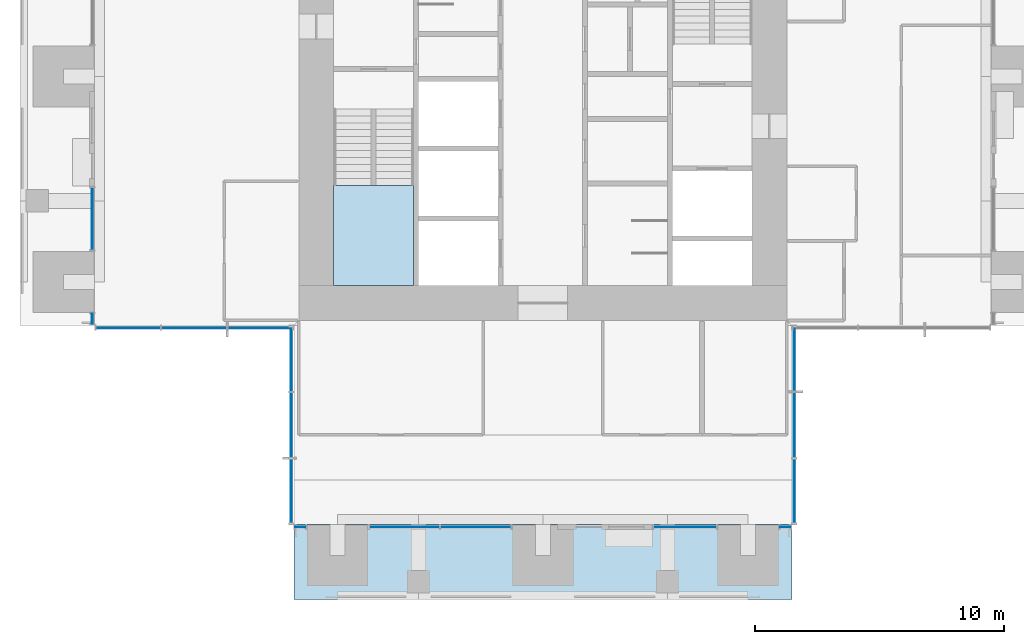
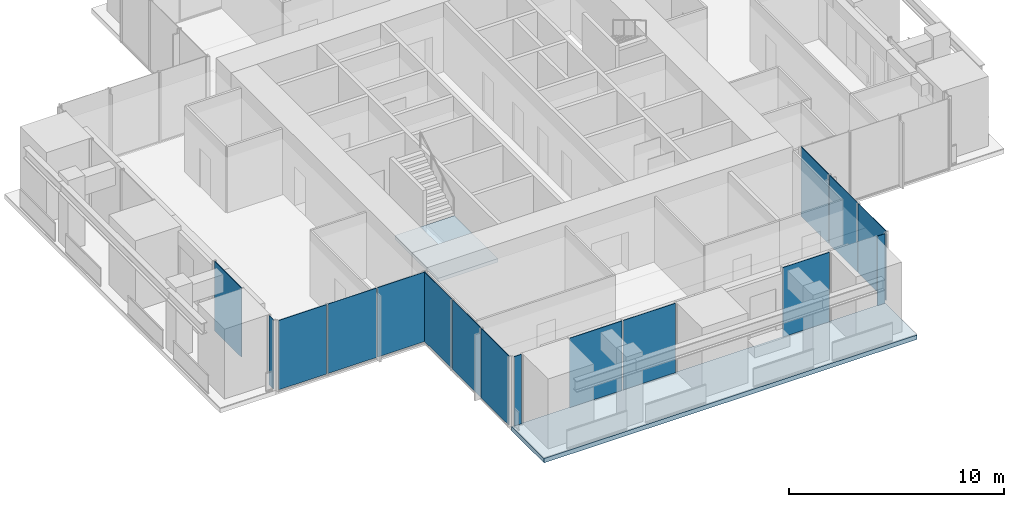
# One storey, part 7 of 17: 16 plates, 2 slabs, 10 elements without a shape of their own.
"""IFC4 building model written with IfcOpenShell, lengths in metres."""

from ifc_helpers import new_model, si_unit, direction, frame, origin, origin_2d, place, context, subcontext, project, spatial, polyline, rectangle, outline, extrude, material, layer, layer_set, type_object, element, aggregate, save


model = new_model("IFC4")

# Units and contexts
model_context = context("Model", 3, precision=1e-05, world=origin(), true_north=direction((0.0, 1.0)))
body_context = subcontext(model_context, "Body", "Model", "MODEL_VIEW")
ifc_project = project(units=[si_unit("LENGTHUNIT", "METRE"), si_unit("AREAUNIT", "SQUARE_METRE"), si_unit("VOLUMEUNIT", "CUBIC_METRE"), si_unit("PLANEANGLEUNIT", "RADIAN"), si_unit("MASSUNIT", "GRAM", prefix="KILO")], contexts=[model_context])

# Site, building, storey
site_placement = place(None, origin())
site = spatial("IfcSite", under=ifc_project, at=site_placement, CompositionType="ELEMENT")
building_placement = place(site_placement, origin())
building = spatial("IfcBuilding", under=site, at=building_placement, Name="Svetlomir Tower", CompositionType="ELEMENT")
storey_placement = place(building_placement, frame((0.0, 0.0, 226.5)))
storey = spatial("IfcBuildingStorey", under=building, at=storey_placement, Name="L54", CompositionType="ELEMENT", Elevation=226.5)

# Curtain wall, plate
ifc_material_1 = material(Name="Bronze anodised aluminium curtain wall", Category="aluminium")
curtain_wall_type = type_object("IfcCurtainWallType", Name="CURTAIN WALL CW1 TOWER OFFICE", PredefinedType="NOTDEFINED", material=ifc_material_1)
curtain_wall_1_placement = place(storey_placement, origin())
curtain_wall_1 = element("IfcCurtainWall", 1, at=curtain_wall_1_placement, inside=storey, type_object=curtain_wall_type, Name="Curtain wall CW1 L54", PredefinedType="NOTDEFINED")
ifc_material_2 = material(Name="Tinted double glazed unit", Category="glass")
ifc_layer_1 = layer(ifc_material_2, 0.031982421875)
ifc_layer_set_1 = layer_set([ifc_layer_1], Name="Tinted double glazed unit")
plate_type = type_object("IfcPlateType", Name="CW1 GLAZED PANEL 32", PredefinedType="CURTAIN_PANEL", material=ifc_layer_set_1)
plate_1_placement = place(storey_placement, frame((11.262451171875, 2.89990234375, 0.06494140625), z_axis=(0.0, 0.0, 1.0), x_axis=(1.0, 0.0, 0.0)))
plate_1 = element("IfcPlate", 2, at=plate_1_placement, type_object=plate_type, Name="CW1 panel 1.1", PredefinedType="CURTAIN_PANEL", context=body_context, shape_type="SweptSolid", body=[
    extrude(rectangle(XDim=0.39501953125, YDim=0.031982421875, at=origin_2d()), origin(), (0.0, 0.0, 1.0), 3.93505859375),
])
aggregate(curtain_wall_1, [plate_1])

# Curtain wall, plates
curtain_wall_2_placement = place(storey_placement, origin())
curtain_wall_2 = element("IfcCurtainWall", 3, at=curtain_wall_2_placement, inside=storey, type_object=curtain_wall_type, Name="Curtain wall CW1 L54", PredefinedType="NOTDEFINED")
plate_2_placement = place(storey_placement, frame((15.441162109375, 2.89990234375, 0.06494140625), z_axis=(0.0, 0.0, 1.0), x_axis=(1.0, 0.0, 0.0)))
plate_2 = element("IfcPlate", 4, at=plate_2_placement, type_object=plate_type, Name="CW1 panel 1.1", PredefinedType="CURTAIN_PANEL", context=body_context, shape_type="SweptSolid", body=[
    extrude(rectangle(XDim=2.802490234375, YDim=0.031982421875, at=origin_2d()), origin(), (0.0, 0.0, 1.0), 3.93505859375),
])
plate_3_placement = place(storey_placement, frame((18.308837890625, 2.89990234375, 0.06494140625), z_axis=(0.0, 0.0, 1.0), x_axis=(1.0, 0.0, 0.0)))
plate_3 = element("IfcPlate", 5, at=plate_3_placement, type_object=plate_type, Name="CW1 panel 2.1", PredefinedType="CURTAIN_PANEL", context=body_context, shape_type="SweptSolid", body=[
    extrude(rectangle(XDim=2.802490234375, YDim=0.031982421875, at=origin_2d()), origin(), (0.0, 0.0, 1.0), 3.93505859375),
])
aggregate(curtain_wall_2, [plate_2, plate_3])

# Curtain wall, plate
curtain_wall_3_placement = place(storey_placement, origin())
curtain_wall_3 = element("IfcCurtainWall", 6, at=curtain_wall_3_placement, inside=storey, type_object=curtain_wall_type, Name="Curtain wall CW1 L54", PredefinedType="NOTDEFINED")
plate_4_placement = place(storey_placement, frame((26.71240234375, 2.89990234375, 0.06494140625), z_axis=(0.0, 0.0, 1.0), x_axis=(1.0, 0.0, 0.0)))
plate_4 = element("IfcPlate", 7, at=plate_4_placement, type_object=plate_type, Name="CW1 panel 1.1", PredefinedType="CURTAIN_PANEL", context=body_context, shape_type="SweptSolid", body=[
    extrude(rectangle(XDim=2.4951171875, YDim=0.031982421875, at=origin_2d()), origin(), (0.0, 0.0, 1.0), 3.93505859375),
])
aggregate(curtain_wall_3, [plate_4])

curtain_wall_4_placement = place(storey_placement, origin())
curtain_wall_4 = element("IfcCurtainWall", 8, at=curtain_wall_4_placement, inside=storey, type_object=curtain_wall_type, Name="Curtain wall CW1 L54", PredefinedType="NOTDEFINED")
plate_5_placement = place(storey_placement, frame((30.737548828125, 2.89990234375, 0.06494140625), z_axis=(0.0, 0.0, 1.0), x_axis=(1.0, 0.0, 0.0)))
plate_5 = element("IfcPlate", 9, at=plate_5_placement, type_object=plate_type, Name="CW1 panel 1.1", PredefinedType="CURTAIN_PANEL", context=body_context, shape_type="SweptSolid", body=[
    extrude(rectangle(XDim=0.39501953125, YDim=0.031982421875, at=origin_2d()), origin(), (0.0, 0.0, 1.0), 3.93505859375),
])
aggregate(curtain_wall_4, [plate_5])

# Curtain wall, plates
curtain_wall_5_placement = place(storey_placement, origin())
curtain_wall_5 = element("IfcCurtainWall", 10, at=curtain_wall_5_placement, inside=storey, type_object=curtain_wall_type, Name="Curtain wall CW1 L54", PredefinedType="NOTDEFINED")
plate_6_placement = place(storey_placement, frame((31.10009765625, 4.349609375, 0.06494140625), z_axis=(0.0, 0.0, 1.0), x_axis=(0.0, 1.0, 0.0)))
plate_6 = element("IfcPlate", 11, at=plate_6_placement, type_object=plate_type, Name="CW1 panel 1.1", PredefinedType="CURTAIN_PANEL", context=body_context, shape_type="SweptSolid", body=[
    extrude(rectangle(XDim=2.569091796875, YDim=0.031982421875, at=origin_2d()), origin(), (0.0, 0.0, 1.0), 3.93505859375),
])
plate_7_placement = place(storey_placement, frame((31.10009765625, 7.0, 0.06494140625), z_axis=(0.0, 0.0, 1.0), x_axis=(0.0, 1.0, 0.0)))
plate_7 = element("IfcPlate", 12, at=plate_7_placement, type_object=plate_type, Name="CW1 panel 2.1", PredefinedType="CURTAIN_PANEL", context=body_context, shape_type="SweptSolid", body=[
    extrude(rectangle(XDim=2.6015625, YDim=0.031982421875, at=origin_2d()), origin(), (0.0, 0.0, 1.0), 3.93505859375),
])
plate_8_placement = place(storey_placement, frame((31.10009765625, 9.650390625, 0.06494140625), z_axis=(0.0, 0.0, 1.0), x_axis=(0.0, 1.0, 0.0)))
plate_8 = element("IfcPlate", 13, at=plate_8_placement, type_object=plate_type, Name="CW1 panel 3.1", PredefinedType="CURTAIN_PANEL", context=body_context, shape_type="SweptSolid", body=[
    extrude(rectangle(XDim=2.569091796875, YDim=0.031982421875, at=origin_2d()), origin(), (0.0, 0.0, 1.0), 3.93505859375),
])
aggregate(curtain_wall_5, [plate_6, plate_7, plate_8])

# Curtain wall, plate
curtain_wall_6_placement = place(storey_placement, origin())
curtain_wall_6 = element("IfcCurtainWall", 14, at=curtain_wall_6_placement, inside=storey, type_object=curtain_wall_type, Name="Curtain wall CW1 L54", PredefinedType="NOTDEFINED")
plate_9_placement = place(storey_placement, frame((2.89990234375, 15.28759765625, 0.06494140625), z_axis=(0.0, 0.0, 1.0), x_axis=(0.0, -1.0, 0.0)))
plate_9 = element("IfcPlate", 15, at=plate_9_placement, type_object=plate_type, Name="CW1 panel 1.1", PredefinedType="CURTAIN_PANEL", context=body_context, shape_type="SweptSolid", body=[
    extrude(rectangle(XDim=2.4951171875, YDim=0.031982421875, at=origin_2d()), origin(), (0.0, 0.0, 1.0), 3.93505859375),
])
aggregate(curtain_wall_6, [plate_9])

curtain_wall_7_placement = place(storey_placement, origin())
curtain_wall_7 = element("IfcCurtainWall", 16, at=curtain_wall_7_placement, inside=storey, type_object=curtain_wall_type, Name="Curtain wall CW1 L54", PredefinedType="NOTDEFINED")
plate_10_placement = place(storey_placement, frame((2.89990234375, 11.262451171875, 0.06494140625), z_axis=(0.0, 0.0, 1.0), x_axis=(0.0, -1.0, 0.0)))
plate_10 = element("IfcPlate", 17, at=plate_10_placement, type_object=plate_type, Name="CW1 panel 1.1", PredefinedType="CURTAIN_PANEL", context=body_context, shape_type="SweptSolid", body=[
    extrude(rectangle(XDim=0.39501953125, YDim=0.031982421875, at=origin_2d()), origin(), (0.0, 0.0, 1.0), 3.93505859375),
])
aggregate(curtain_wall_7, [plate_10])

# Curtain wall, plates
curtain_wall_8_placement = place(storey_placement, origin())
curtain_wall_8 = element("IfcCurtainWall", 18, at=curtain_wall_8_placement, inside=storey, type_object=curtain_wall_type, Name="Curtain wall CW1 L54", PredefinedType="NOTDEFINED")
plate_11_placement = place(storey_placement, frame((4.349609375, 10.89990234375, 0.06494140625), z_axis=(0.0, 0.0, 1.0), x_axis=(1.0, 0.0, 0.0)))
plate_11 = element("IfcPlate", 19, at=plate_11_placement, type_object=plate_type, Name="CW1 panel 1.1", PredefinedType="CURTAIN_PANEL", context=body_context, shape_type="SweptSolid", body=[
    extrude(rectangle(XDim=2.569091796875, YDim=0.031982421875, at=origin_2d()), origin(), (0.0, 0.0, 1.0), 3.93505859375),
])
plate_12_placement = place(storey_placement, frame((7.0, 10.89990234375, 0.06494140625), z_axis=(0.0, 0.0, 1.0), x_axis=(1.0, 0.0, 0.0)))
plate_12 = element("IfcPlate", 20, at=plate_12_placement, type_object=plate_type, Name="CW1 panel 2.1", PredefinedType="CURTAIN_PANEL", context=body_context, shape_type="SweptSolid", body=[
    extrude(rectangle(XDim=2.6015625, YDim=0.031982421875, at=origin_2d()), origin(), (0.0, 0.0, 1.0), 3.93505859375),
])
plate_13_placement = place(storey_placement, frame((9.650390625, 10.89990234375, 0.06494140625), z_axis=(0.0, 0.0, 1.0), x_axis=(1.0, 0.0, 0.0)))
plate_13 = element("IfcPlate", 21, at=plate_13_placement, type_object=plate_type, Name="CW1 panel 3.1", PredefinedType="CURTAIN_PANEL", context=body_context, shape_type="SweptSolid", body=[
    extrude(rectangle(XDim=2.569091796875, YDim=0.031982421875, at=origin_2d()), origin(), (0.0, 0.0, 1.0), 3.93505859375),
])
aggregate(curtain_wall_8, [plate_11, plate_12, plate_13])

curtain_wall_9_placement = place(storey_placement, origin())
curtain_wall_9 = element("IfcCurtainWall", 22, at=curtain_wall_9_placement, inside=storey, type_object=curtain_wall_type, Name="Curtain wall CW1 L54", PredefinedType="NOTDEFINED")
plate_14_placement = place(storey_placement, frame((10.89990234375, 9.650390625, 0.06494140625), z_axis=(0.0, 0.0, 1.0), x_axis=(0.0, -1.0, 0.0)))
plate_14 = element("IfcPlate", 23, at=plate_14_placement, type_object=plate_type, Name="CW1 panel 1.1", PredefinedType="CURTAIN_PANEL", context=body_context, shape_type="SweptSolid", body=[
    extrude(rectangle(XDim=2.569091796875, YDim=0.031982421875, at=origin_2d()), origin(), (0.0, 0.0, 1.0), 3.93505859375),
])
plate_15_placement = place(storey_placement, frame((10.89990234375, 7.0, 0.06494140625), z_axis=(0.0, 0.0, 1.0), x_axis=(0.0, -1.0, 0.0)))
plate_15 = element("IfcPlate", 24, at=plate_15_placement, type_object=plate_type, Name="CW1 panel 2.1", PredefinedType="CURTAIN_PANEL", context=body_context, shape_type="SweptSolid", body=[
    extrude(rectangle(XDim=2.6015625, YDim=0.031982421875, at=origin_2d()), origin(), (0.0, 0.0, 1.0), 3.93505859375),
])
plate_16_placement = place(storey_placement, frame((10.89990234375, 4.349609375, 0.06494140625), z_axis=(0.0, 0.0, 1.0), x_axis=(0.0, -1.0, 0.0)))
plate_16 = element("IfcPlate", 25, at=plate_16_placement, type_object=plate_type, Name="CW1 panel 3.1", PredefinedType="CURTAIN_PANEL", context=body_context, shape_type="SweptSolid", body=[
    extrude(rectangle(XDim=2.569091796875, YDim=0.031982421875, at=origin_2d()), origin(), (0.0, 0.0, 1.0), 3.93505859375),
])
aggregate(curtain_wall_9, [plate_14, plate_15, plate_16])

# Slab
ifc_material_3 = material(Name="Concrete C60/75", Category="concrete")
ifc_layer_2 = layer(ifc_material_3, 0.25)
ifc_layer_set_2 = layer_set([ifc_layer_2], Name="Concrete C60/75")
slab_type_1 = type_object("IfcSlabType", Name="PLANTED LOGGIA SLAB 250", PredefinedType="FLOOR", material=ifc_layer_set_2)
slab_1_placement = place(storey_placement, frame((0.0, 0.0, -0.25)))
element("IfcSlab", 26, at=slab_1_placement, inside=storey, type_object=slab_type_1, Name="L54 S planted loggia", PredefinedType="FLOOR", context=body_context, shape_type="SweptSolid", body=[
    extrude(outline(polyline([(11.0, 0.0), (31.0, 0.0), (31.0, 3.0), (11.0, 3.0), (11.0, 0.0)])), origin(), (0.0, 0.0, 1.0), 0.25),
])

# Stair, slab
ifc_material_4 = material(Name="Concrete C60/75", Category="concrete")
stair_type = type_object("IfcStairType", Name="EXIT STAIR 3200 RISE 4000", PredefinedType="HALF_TURN_STAIR", material=ifc_material_4)
stair_placement = place(storey_placement, origin())
stair = element("IfcStair", 27, at=stair_placement, inside=storey, type_object=stair_type, Name="Stair S1 L54 to L55", PredefinedType="HALF_TURN_STAIR")
ifc_material_5 = material(Name="Concrete C60/75", Category="concrete")
ifc_layer_3 = layer(ifc_material_5, 0.199951171875)
ifc_layer_set_3 = layer_set([ifc_layer_3], Name="Concrete C60/75")
slab_type_2 = type_object("IfcSlabType", Name="STAIR LANDING 200", PredefinedType="LANDING", material=ifc_layer_set_3)
slab_2_placement = place(storey_placement, frame((0.0, 0.0, 1.800048828125)))
slab_2 = element("IfcSlab", 28, at=slab_2_placement, type_object=slab_type_2, Name="S1 landing 1", PredefinedType="LANDING", context=body_context, shape_type="SweptSolid", body=[
    extrude(outline(polyline([(12.60009765625, 12.60009765625), (15.800048828125, 12.60009765625), (15.800048828125, 16.6201171875), (12.60009765625, 16.6201171875), (12.60009765625, 12.60009765625)])), origin(), (0.0, 0.0, 1.0), 0.199951171875),
])
aggregate(stair, [slab_2])

save(model, "model.ifc")
